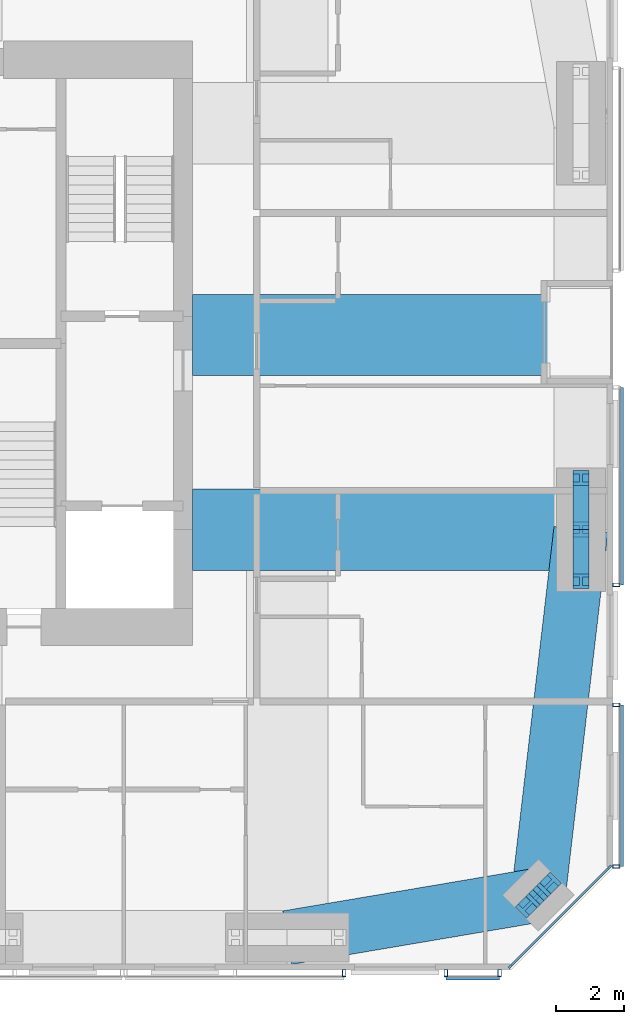
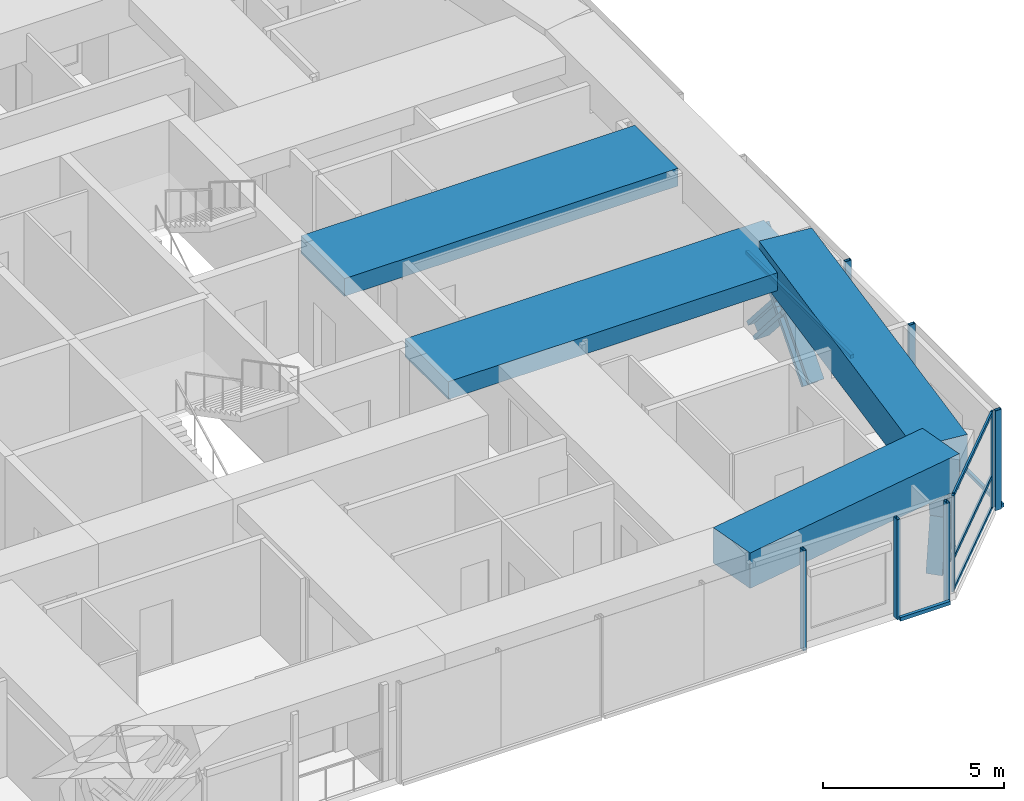
# One storey, part 8 of 19: 22 members, 4 beams, 5 elements without a shape of their own.
"""IFC4 building model written with IfcOpenShell, lengths in metres."""

from ifc_helpers import new_model, si_unit, direction, frame, origin, origin_2d, place, context, subcontext, project, spatial, rectangle, hollow_rectangle, i_section, extrude, material, material_profile, profile_set, type_object, element, aggregate, save


model = new_model("IFC4")

# Units and contexts
model_context = context("Model", 3, precision=1e-05, world=origin(), true_north=direction((0.0, 1.0)))
body_context = subcontext(model_context, "Body", "Model", "MODEL_VIEW")
ifc_project = project(units=[si_unit("LENGTHUNIT", "METRE"), si_unit("AREAUNIT", "SQUARE_METRE"), si_unit("VOLUMEUNIT", "CUBIC_METRE"), si_unit("PLANEANGLEUNIT", "RADIAN"), si_unit("MASSUNIT", "GRAM", prefix="KILO")], contexts=[model_context])

# Site, building, storey
site_placement = place(None, origin())
site = spatial("IfcSite", under=ifc_project, at=site_placement, CompositionType="ELEMENT")
building_placement = place(site_placement, origin())
building = spatial("IfcBuilding", under=site, at=building_placement, Name="Jalousie Tower", CompositionType="ELEMENT")
storey_placement = place(building_placement, frame((0.0, 0.0, 224.949951171875)))
storey = spatial("IfcBuildingStorey", under=building, at=storey_placement, Name="L61", CompositionType="ELEMENT", Elevation=224.949951171875)

# Curtain wall, members
ifc_material_1 = material(Name="Aluminium curtain wall", Category="aluminium")
curtain_wall_type_1 = type_object("IfcCurtainWallType", Name="CORNER WINDOW WALL", PredefinedType="USERDEFINED", material=ifc_material_1)
curtain_wall_1_placement = place(storey_placement, origin())
curtain_wall_1 = element("IfcCurtainWall", 1, at=curtain_wall_1_placement, inside=storey, type_object=curtain_wall_type_1, Name="Corner Window Wall L61 2", ObjectType="CORNER WINDOW WALL", PredefinedType="USERDEFINED")
ifc_material_2 = material(Name="Aluminium mullion", Category="aluminium")
ifc_material_profile_1 = material_profile(ifc_material_2, rectangle(XDim=0.06005859375, YDim=0.14990234375, at=origin_2d()), Name="MULLION 60x150")
ifc_profile_set_1 = profile_set([ifc_material_profile_1], Name="Aluminium mullion")
member_type_1 = type_object("IfcMemberType", Name="CORNER WINDOW WALL MULLION", PredefinedType="MULLION", material=ifc_profile_set_1)
member_1_placement = place(storey_placement, frame((53.469970703125, 0.108642578125, 0.0), z_axis=(0.0, 0.0, 1.0), x_axis=(-0.707106781187, 0.707106781187, 0.0)))
member_1 = element("IfcMember", 2, at=member_1_placement, type_object=member_type_1, Name="CW-C mullion 1", PredefinedType="MULLION", context=body_context, shape_type="SweptSolid", body=[
    extrude(rectangle(XDim=0.06005859375, YDim=0.14990234375, at=origin_2d()), origin(), (0.0, 0.0, 1.0), 3.260009765625),
])
member_2_placement = place(storey_placement, frame((56.391357421875, 3.030029296875, 0.0), z_axis=(0.0, 0.0, 1.0), x_axis=(-0.707106781187, 0.707106781187, 0.0)))
member_2 = element("IfcMember", 3, at=member_2_placement, type_object=member_type_1, Name="CW-C mullion 2", PredefinedType="MULLION", context=body_context, shape_type="SweptSolid", body=[
    extrude(rectangle(XDim=0.06005859375, YDim=0.14990234375, at=origin_2d()), origin(), (0.0, 0.0, 1.0), 3.260009765625),
])
ifc_material_3 = material(Name="Aluminium transom", Category="aluminium")
ifc_material_profile_2 = material_profile(ifc_material_3, rectangle(XDim=0.06005859375, YDim=0.1201171875, at=origin_2d()), Name="TRANSOM 60x120")
ifc_profile_set_2 = profile_set([ifc_material_profile_2], Name="Aluminium transom")
member_type_2 = type_object("IfcMemberType", Name="CORNER WINDOW WALL TRANSOM", PredefinedType="USERDEFINED", material=ifc_profile_set_2)
member_3_placement = place(storey_placement, frame((53.4912109375, 0.1298828125, 0.030029296875), z_axis=(0.707106781187, 0.707106781187, 0.0), x_axis=(-0.707106781187, 0.707106781187, 0.0)))
member_3 = element("IfcMember", 4, at=member_3_placement, type_object=member_type_2, Name="CW-C transom 1.1", ObjectType="TRANSOM", PredefinedType="USERDEFINED", context=body_context, shape_type="SweptSolid", body=[
    extrude(rectangle(XDim=0.06005859375, YDim=0.1201171875, at=origin_2d()), origin(), (0.0, 0.0, 1.0), 4.0712890625),
])
member_4_placement = place(storey_placement, frame((53.4912109375, 0.1298828125, 1.10009765625), z_axis=(0.707106781187, 0.707106781187, 0.0), x_axis=(-0.707106781187, 0.707106781187, 0.0)))
member_4 = element("IfcMember", 5, at=member_4_placement, type_object=member_type_2, Name="CW-C transom 1.2", ObjectType="TRANSOM", PredefinedType="USERDEFINED", context=body_context, shape_type="SweptSolid", body=[
    extrude(rectangle(XDim=0.06005859375, YDim=0.1201171875, at=origin_2d()), origin(), (0.0, 0.0, 1.0), 4.0712890625),
])
member_5_placement = place(storey_placement, frame((53.4912109375, 0.1298828125, 3.22998046875), z_axis=(0.707106781187, 0.707106781187, 0.0), x_axis=(-0.707106781187, 0.707106781187, 0.0)))
member_5 = element("IfcMember", 6, at=member_5_placement, type_object=member_type_2, Name="CW-C transom 1.3", ObjectType="TRANSOM", PredefinedType="USERDEFINED", context=body_context, shape_type="SweptSolid", body=[
    extrude(rectangle(XDim=0.06005859375, YDim=0.1201171875, at=origin_2d()), origin(), (0.0, 0.0, 1.0), 4.0712890625),
])
aggregate(curtain_wall_1, [member_1, member_2, member_3, member_4, member_5])

# Members
ifc_material_4 = material(Name="Steel ASTM A992 Grade 50", Category="steel")
ifc_material_profile_3 = material_profile(ifc_material_4, i_section(OverallWidth=0.472412109375, OverallDepth=0.5791015625, WebThickness=0.094970703125, FlangeThickness=0.1298828125, at=origin_2d()), Name="W14X808")
ifc_profile_set_3 = profile_set([ifc_material_profile_3], Name="Steel ASTM A992 Grade 50")
member_type_3 = type_object("IfcMemberType", Name="PERIMETER BRACE W14X808", PredefinedType="BRACE", material=ifc_profile_set_3)
for number, where, z_axis, x_axis, name in (
    (7, (53.974609375, 1.888916015625, -0.599853515625), (0.17618653952, 0.176051427143, 0.968485517854), (-0.706835495285, 0.707377963048, 0.0), "Perimeter brace 05 L61 part 1"),
    (8, (54.29296875, 2.20703125, 1.150146484375), (0.176051427143, 0.17618653952, 0.968485517854), (-0.707377963048, 0.706835495285, 0.0), "Perimeter brace 05 L61 part 2"),
    (9, (54.611083984375, 2.525390625, -0.599853515625), (-0.176051427143, -0.17618653952, 0.968485517854), (0.707377963048, -0.706835495285, 0.0), "Perimeter brace 05 L61 part 3"),
    (10, (54.29296875, 2.20703125, 1.150146484375), (-0.17618653952, -0.176051427143, 0.968485517854), (0.706835495285, -0.707377963048, 0.0), "Perimeter brace 05 L61 part 4"),
):
    element("IfcMember", number, at=place(storey_placement, frame(where, z_axis=z_axis, x_axis=x_axis)), inside=storey, type_object=member_type_3, Name=name, PredefinedType="BRACE", context=body_context, shape_type="SweptSolid", body=[
        extrude(i_section(OverallWidth=0.472412109375, OverallDepth=0.5791015625, WebThickness=0.094970703125, FlangeThickness=0.1298828125, at=origin_2d()), origin(), (0.0, 0.0, 1.0), 1.806884765625),
    ])
for number, where, z_axis, x_axis, name in (
    (11, (55.550048828125, 11.47509765625, -0.599853515625), (0.0, 0.65695436777, 0.753930340726), (-1.0, 0.0, 0.0), "Perimeter brace 06 L61 part 1"),
    (12, (55.550048828125, 13.0, 1.150146484375), (0.0, 0.65695436777, 0.753930340726), (-1.0, 0.0, 0.0), "Perimeter brace 06 L61 part 2"),
    (13, (55.550048828125, 14.52490234375, -0.599853515625), (0.0, -0.65695436777, 0.753930340726), (1.0, 0.0, 0.0), "Perimeter brace 06 L61 part 3"),
    (14, (55.550048828125, 13.0, 1.150146484375), (0.0, -0.65695436777, 0.753930340726), (1.0, 0.0, 0.0), "Perimeter brace 06 L61 part 4"),
):
    element("IfcMember", number, at=place(storey_placement, frame(where, z_axis=z_axis, x_axis=x_axis)), inside=storey, type_object=member_type_3, Name=name, PredefinedType="BRACE", context=body_context, shape_type="SweptSolid", body=[
        extrude(i_section(OverallWidth=0.472412109375, OverallDepth=0.5791015625, WebThickness=0.094970703125, FlangeThickness=0.1298828125, at=origin_2d()), origin(), (0.0, 0.0, 1.0), 2.3212890625),
    ])

# Beams
ifc_material_5 = material(Name="Concrete f'c 40 MPa", Category="concrete")
ifc_material_profile_4 = material_profile(ifc_material_5, rectangle(XDim=1.60009765625, YDim=1.199951171875, at=origin_2d()), Name="RC 1600x1200")
ifc_profile_set_4 = profile_set([ifc_material_profile_4], Name="Concrete f'c 40 MPa")
beam_type_1 = type_object("IfcBeamType", Name="RC BEAM 1600x1200", PredefinedType="BEAM", material=ifc_profile_set_4)
beam_1_placement = place(storey_placement, frame((46.875, 0.949951171875, 2.900146484375), z_axis=(0.985942997446, 0.167082033105, 0.0), x_axis=(-0.167082033105, 0.985942997446, 0.0)))
element("IfcBeam", 15, at=beam_1_placement, inside=storey, type_object=beam_type_1, Name="Edge band beam 04-05 under L62", PredefinedType="BEAM", context=body_context, shape_type="SweptSolid", body=[
    extrude(rectangle(XDim=1.60009765625, YDim=1.199951171875, at=origin_2d()), origin(), (0.0, 0.0, 1.0), 7.523681640625),
])
beam_2_placement = place(storey_placement, frame((54.29296875, 2.20703125, 2.900146484375), z_axis=(0.115690063472, 0.993285361421, 0.0), x_axis=(-0.993285361421, 0.115690063472, 0.0)))
element("IfcBeam", 16, at=beam_2_placement, inside=storey, type_object=beam_type_1, Name="Edge band beam 05-06 under L62", PredefinedType="BEAM", context=body_context, shape_type="SweptSolid", body=[
    extrude(rectangle(XDim=1.60009765625, YDim=1.199951171875, at=origin_2d()), origin(), (0.0, 0.0, 1.0), 10.865966796875),
])
ifc_material_6 = material(Name="Concrete f'c 40 MPa", Category="concrete")
ifc_material_profile_5 = material_profile(ifc_material_6, rectangle(XDim=2.39990234375, YDim=0.60009765625, at=origin_2d()), Name="RC 2400x600")
ifc_profile_set_5 = profile_set([ifc_material_profile_5], Name="Concrete f'c 40 MPa")
beam_type_2 = type_object("IfcBeamType", Name="RC BEAM 2400x600", PredefinedType="BEAM", material=ifc_profile_set_5)
beam_3_placement = place(storey_placement, frame((55.550048828125, 13.0, 2.9599609375), z_axis=(-1.0, 0.0, 0.0), x_axis=(0.0, -1.0, 0.0)))
element("IfcBeam", 17, at=beam_3_placement, inside=storey, type_object=beam_type_2, Name="Floor band beam under L62", PredefinedType="BEAM", context=body_context, shape_type="SweptSolid", body=[
    extrude(rectangle(XDim=2.39990234375, YDim=0.60009765625, at=origin_2d()), origin(), (0.0, 0.0, 1.0), 11.47509765625),
])
beam_4_placement = place(storey_placement, frame((44.074951171875, 18.75, 2.9599609375), z_axis=(1.0, 0.0, 0.0), x_axis=(0.0, 1.0, 0.0)))
element("IfcBeam", 18, at=beam_4_placement, inside=storey, type_object=beam_type_2, Name="Floor band beam under L62", PredefinedType="BEAM", context=body_context, shape_type="SweptSolid", body=[
    extrude(rectangle(XDim=2.39990234375, YDim=0.60009765625, at=origin_2d()), origin(), (0.0, 0.0, 1.0), 10.675048828125),
])

# Curtain wall, member
ifc_material_7 = material(Name="Perforated aluminium sheet", Category="aluminium")
curtain_wall_type_2 = type_object("IfcCurtainWallType", Name="SOLAR SCREEN SS-2", PredefinedType="USERDEFINED", material=ifc_material_7)
curtain_wall_2_placement = place(storey_placement, origin())
curtain_wall_2 = element("IfcCurtainWall", 19, at=curtain_wall_2_placement, inside=storey, type_object=curtain_wall_type_2, Name="Solar screen L61", ObjectType="SOLAR SCREEN SS-2", PredefinedType="USERDEFINED")
ifc_material_8 = material(Name="Steel ASTM A500 Grade C", Category="steel")
ifc_material_profile_6 = material_profile(ifc_material_8, hollow_rectangle(XDim=0.1015625, YDim=0.203125, WallThickness=0.0078125, at=origin_2d()), Name="HSS8X4X5/16")
ifc_profile_set_6 = profile_set([ifc_material_profile_6], Name="Steel ASTM A500 Grade C")
member_type_4 = type_object("IfcMemberType", Name="SOLAR SCREEN SS-2 MULLION", PredefinedType="MULLION", material=ifc_profile_set_6)
member_6_placement = place(storey_placement, frame((48.559326171875, -0.0966796875, -0.119873046875), z_axis=(0.0, 0.0, 1.0), x_axis=(1.0, 0.0, 0.0)))
member_6 = element("IfcMember", 20, at=member_6_placement, type_object=member_type_4, Name="SS2 post 3", PredefinedType="MULLION", context=body_context, shape_type="SweptSolid", body=[
    extrude(hollow_rectangle(XDim=0.1015625, YDim=0.203125, WallThickness=0.0078125, at=origin_2d()), origin(), (0.0, 0.0, 1.0), 3.3798828125),
])
aggregate(curtain_wall_2, [member_6])

# Curtain wall, members
curtain_wall_3_placement = place(storey_placement, origin())
curtain_wall_3 = element("IfcCurtainWall", 21, at=curtain_wall_3_placement, inside=storey, type_object=curtain_wall_type_2, Name="Solar screen L61", ObjectType="SOLAR SCREEN SS-2", PredefinedType="USERDEFINED")
member_7_placement = place(storey_placement, frame((51.559326171875, -0.0966796875, -0.119873046875), z_axis=(0.0, 0.0, 1.0), x_axis=(1.0, 0.0, 0.0)))
member_7 = element("IfcMember", 22, at=member_7_placement, type_object=member_type_4, Name="SS2 post 1", PredefinedType="MULLION", context=body_context, shape_type="SweptSolid", body=[
    extrude(hollow_rectangle(XDim=0.1015625, YDim=0.203125, WallThickness=0.0078125, at=origin_2d()), origin(), (0.0, 0.0, 1.0), 3.3798828125),
])
member_8_placement = place(storey_placement, frame((53.148681640625, -0.0966796875, -0.119873046875), z_axis=(0.0, 0.0, 1.0), x_axis=(1.0, 0.0, 0.0)))
member_8 = element("IfcMember", 23, at=member_8_placement, type_object=member_type_4, Name="SS2 post 2", PredefinedType="MULLION", context=body_context, shape_type="SweptSolid", body=[
    extrude(hollow_rectangle(XDim=0.1015625, YDim=0.203125, WallThickness=0.0078125, at=origin_2d()), origin(), (0.0, 0.0, 1.0), 3.3798828125),
])

curtain_wall_4_placement = place(storey_placement, origin())
curtain_wall_4 = element("IfcCurtainWall", 24, at=curtain_wall_4_placement, inside=storey, type_object=curtain_wall_type_2, Name="Solar screen L61", ObjectType="SOLAR SCREEN SS-2", PredefinedType="USERDEFINED")
member_9_placement = place(storey_placement, frame((56.5966796875, 3.05126953125, -0.119873046875), z_axis=(0.0, 0.0, 1.0), x_axis=(0.0, 1.0, 0.0)))
member_9 = element("IfcMember", 25, at=member_9_placement, type_object=member_type_4, Name="SS2 post 1", PredefinedType="MULLION", context=body_context, shape_type="SweptSolid", body=[
    extrude(hollow_rectangle(XDim=0.1015625, YDim=0.203125, WallThickness=0.0078125, at=origin_2d()), origin(), (0.0, 0.0, 1.0), 3.3798828125),
])
member_10_placement = place(storey_placement, frame((56.5966796875, 7.824951171875, -0.119873046875), z_axis=(0.0, 0.0, 1.0), x_axis=(0.0, 1.0, 0.0)))
member_10 = element("IfcMember", 26, at=member_10_placement, type_object=member_type_4, Name="SS2 post 2", PredefinedType="MULLION", context=body_context, shape_type="SweptSolid", body=[
    extrude(hollow_rectangle(XDim=0.1015625, YDim=0.203125, WallThickness=0.0078125, at=origin_2d()), origin(), (0.0, 0.0, 1.0), 3.3798828125),
])

# Curtain wall, member
curtain_wall_5_placement = place(storey_placement, origin())
curtain_wall_5 = element("IfcCurtainWall", 27, at=curtain_wall_5_placement, inside=storey, type_object=curtain_wall_type_2, Name="Solar screen L61", ObjectType="SOLAR SCREEN SS-2", PredefinedType="USERDEFINED")
member_11_placement = place(storey_placement, frame((56.5966796875, 11.367431640625, -0.119873046875), z_axis=(0.0, 0.0, 1.0), x_axis=(0.0, 1.0, 0.0)))
member_11 = element("IfcMember", 28, at=member_11_placement, type_object=member_type_4, Name="SS2 post 1", PredefinedType="MULLION", context=body_context, shape_type="SweptSolid", body=[
    extrude(hollow_rectangle(XDim=0.1015625, YDim=0.203125, WallThickness=0.0078125, at=origin_2d()), origin(), (0.0, 0.0, 1.0), 3.3798828125),
])

# Member
ifc_material_9 = material(Name="Extruded aluminium screen rail", Category="aluminium")
ifc_material_profile_7 = material_profile(ifc_material_9, rectangle(XDim=0.1015625, YDim=0.1201171875, at=origin_2d()), Name="RAIL 102x120")
ifc_profile_set_7 = profile_set([ifc_material_profile_7], Name="Extruded aluminium screen rail")
member_type_5 = type_object("IfcMemberType", Name="SOLAR SCREEN SS-2 TRANSOM", PredefinedType="USERDEFINED", material=ifc_profile_set_7)
member_12_placement = place(storey_placement, frame((51.559326171875, -0.2490234375, -0.06005859375), z_axis=(1.0, 0.0, 0.0), x_axis=(0.0, 1.0, 0.0)))
member_12 = element("IfcMember", 29, at=member_12_placement, type_object=member_type_5, Name="SS2 rail", ObjectType="TRANSOM", PredefinedType="USERDEFINED", context=body_context, shape_type="SweptSolid", body=[
    extrude(rectangle(XDim=0.1015625, YDim=0.1201171875, at=origin_2d()), origin(), (0.0, 0.0, 1.0), 1.58935546875),
])

aggregate(curtain_wall_3, [member_7, member_8, member_12])

member_13_placement = place(storey_placement, frame((56.7490234375, 3.05126953125, -0.06005859375), z_axis=(0.0, 1.0, 0.0), x_axis=(-1.0, 0.0, 0.0)))
member_13 = element("IfcMember", 30, at=member_13_placement, type_object=member_type_5, Name="SS2 rail", ObjectType="TRANSOM", PredefinedType="USERDEFINED", context=body_context, shape_type="SweptSolid", body=[
    extrude(rectangle(XDim=0.1015625, YDim=0.1201171875, at=origin_2d()), origin(), (0.0, 0.0, 1.0), 4.773681640625),
])

aggregate(curtain_wall_4, [member_9, member_10, member_13])

member_14_placement = place(storey_placement, frame((56.7490234375, 11.367431640625, -0.06005859375), z_axis=(0.0, 1.0, 0.0), x_axis=(-1.0, 0.0, 0.0)))
member_14 = element("IfcMember", 31, at=member_14_placement, type_object=member_type_5, Name="SS2 rail", ObjectType="TRANSOM", PredefinedType="USERDEFINED", context=body_context, shape_type="SweptSolid", body=[
    extrude(rectangle(XDim=0.1015625, YDim=0.1201171875, at=origin_2d()), origin(), (0.0, 0.0, 1.0), 5.83251953125),
])

aggregate(curtain_wall_5, [member_11, member_14])

save(model, "model.ifc")
